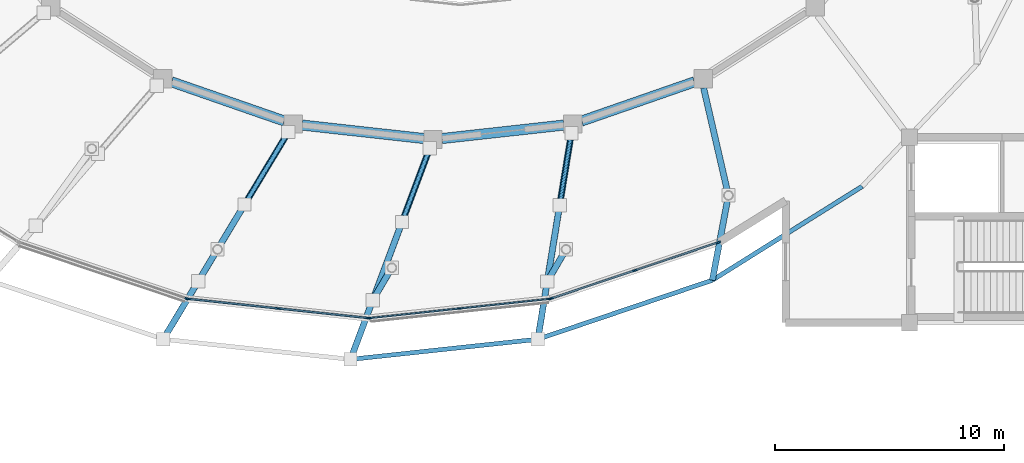
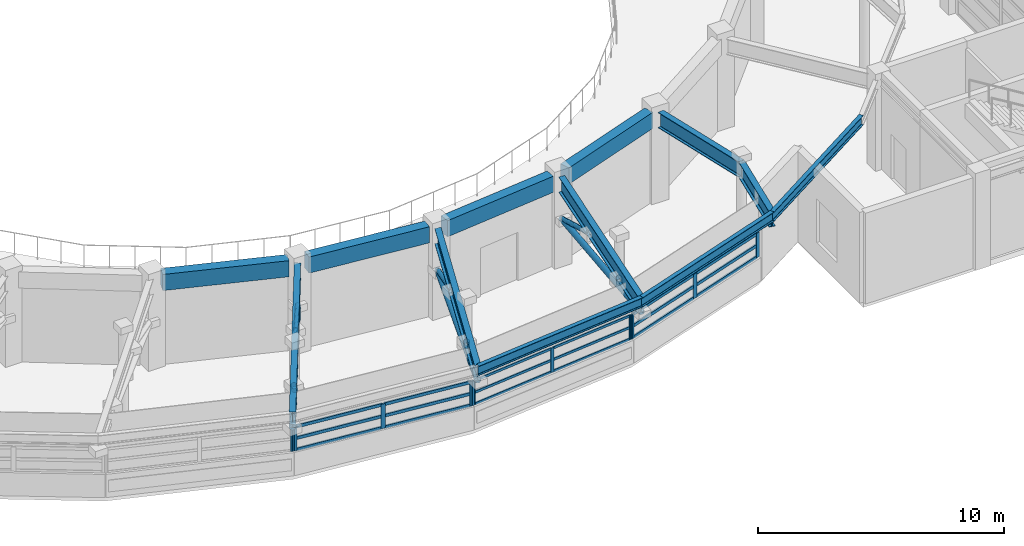
# One storey, part 13 of 58: 37 members, 12 beams, 4 elements without a shape of their own.
"""IFC4 building model written with IfcOpenShell, lengths in metres."""

from ifc_helpers import new_model, si_unit, direction, frame, origin, origin_2d, place, context, subcontext, project, spatial, rectangle, hollow_circle, i_section, extrude, material, material_profile, profile_set, type_object, element, aggregate, save


model = new_model("IFC4")

# Units and contexts
model_context = context("Model", 3, precision=1e-05, world=origin(), true_north=direction((0.0, 1.0)))
body_context = subcontext(model_context, "Body", "Model", "MODEL_VIEW")
ifc_project = project(units=[si_unit("LENGTHUNIT", "METRE"), si_unit("AREAUNIT", "SQUARE_METRE"), si_unit("VOLUMEUNIT", "CUBIC_METRE"), si_unit("PLANEANGLEUNIT", "RADIAN"), si_unit("MASSUNIT", "GRAM", prefix="KILO")], contexts=[model_context])

# Site, building, storey
site_placement = place(None, origin())
site = spatial("IfcSite", under=ifc_project, at=site_placement, CompositionType="ELEMENT")
building_placement = place(site_placement, origin())
building = spatial("IfcBuilding", under=site, at=building_placement, Name="Parian Resonance Hall", CompositionType="ELEMENT")
storey_placement = place(building_placement, frame((0.0, 0.0, 10.199951171875)))
storey = spatial("IfcBuildingStorey", under=building, at=storey_placement, Name="L02", CompositionType="ELEMENT", Elevation=10.199951171875)

# Beams
ifc_material_1 = material(Name="Concrete C40/50", Category="concrete")
ifc_material_profile_1 = material_profile(ifc_material_1, rectangle(XDim=0.449951171875, YDim=0.800048828125, at=origin_2d()), Name="RC-BM-450x800")
ifc_profile_set_1 = profile_set([ifc_material_profile_1], Name="Concrete C40/50")
beam_type_1 = type_object("IfcBeamType", Name="BM-RC450x800", PredefinedType="USERDEFINED", material=ifc_profile_set_1)
beam_1_placement = place(storey_placement, frame((32.577880859375, 26.721435546875, 4.130126953125), z_axis=(0.944593815742, -0.328241562362, 0.0), x_axis=(0.328241562362, 0.944593815742, 0.0)))
element("IfcBeam", 1, at=beam_1_placement, inside=storey, type_object=beam_type_1, Name="Concert hall drum ring beam L02-17", ObjectType="GIRDER", PredefinedType="USERDEFINED", context=body_context, shape_type="SweptSolid", body=[
    extrude(rectangle(XDim=0.449951171875, YDim=0.800048828125, at=origin_2d()), origin(), (0.0, 0.0, 1.0), 5.225830078125),
])
for number, where, z_axis, x_axis, name in (
    (2, (38.28955078125, 24.830810546875, 4.130126953125), (0.993953165009, -0.109804853117, 0.0), (0.109804853117, 0.993953165009, 0.0), "Concert hall drum ring beam L02-18"),
    (3, (44.397705078125, 24.243896484375, 4.130126953125), (0.993953165009, 0.109804853117, 0.0), (-0.109804853117, 0.993953165009, 0.0), "Concert hall drum ring beam L02-19"),
):
    element("IfcBeam", number, at=place(storey_placement, frame(where, z_axis=z_axis, x_axis=x_axis)), inside=storey, type_object=beam_type_1, Name=name, ObjectType="GIRDER", PredefinedType="USERDEFINED", context=body_context, shape_type="SweptSolid", body=[
        extrude(rectangle(XDim=0.449951171875, YDim=0.800048828125, at=origin_2d()), origin(), (0.0, 0.0, 1.0), 5.344970703125),
    ])
beam_2_placement = place(storey_placement, frame((50.48583984375, 25.006103515625, 4.130126953125), z_axis=(0.944593815742, 0.328241562362, 0.0), x_axis=(-0.328241562362, 0.944593815742, 0.0)))
element("IfcBeam", 4, at=beam_2_placement, inside=storey, type_object=beam_type_1, Name="Concert hall drum ring beam L02-20", ObjectType="GIRDER", PredefinedType="USERDEFINED", context=body_context, shape_type="SweptSolid", body=[
    extrude(rectangle(XDim=0.449951171875, YDim=0.800048828125, at=origin_2d()), origin(), (0.0, 0.0, 1.0), 5.225830078125),
])
ifc_material_2 = material(Name="Steel S355", Category="steel")
ifc_material_profile_2 = material_profile(ifc_material_2, i_section(OverallWidth=0.194091796875, OverallDepth=0.468994140625, WebThickness=0.0126953125, FlangeThickness=0.0205078125, FilletRadius=0.01513671875, at=origin_2d()), Name="W460x106")
ifc_profile_set_2 = profile_set([ifc_material_profile_2], Name="Steel S355")
beam_type_2 = type_object("IfcBeamType", Name="BM-W460x106", PredefinedType="SPANDREL", material=ifc_profile_set_2)
beam_3_placement = place(storey_placement, frame((40.39990234375, 14.60009765625, 4.265625), z_axis=(0.99427541963, 0.106847507781, 0.0), x_axis=(-0.106847507781, 0.99427541963, 0.0)))
element("IfcBeam", 5, at=beam_3_placement, inside=storey, type_object=beam_type_2, Name="Elliptical R3 perimeter spandrel beam 19", PredefinedType="SPANDREL", context=body_context, shape_type="SweptSolid", body=[
    extrude(i_section(OverallWidth=0.194091796875, OverallDepth=0.468994140625, WebThickness=0.0126953125, FlangeThickness=0.0205078125, FilletRadius=0.01513671875, at=origin_2d()), origin(), (0.0, 0.0, 1.0), 8.225830078125),
])
beam_4_placement = place(storey_placement, frame((48.57861328125, 15.47900390625, 4.265625), z_axis=(0.947296607548, 0.320357827013, 0.0), x_axis=(-0.320357827013, 0.947296607548, 0.0)))
element("IfcBeam", 6, at=beam_4_placement, inside=storey, type_object=beam_type_2, Name="Elliptical R3 perimeter spandrel beam 20", PredefinedType="SPANDREL", context=body_context, shape_type="SweptSolid", body=[
    extrude(i_section(OverallWidth=0.194091796875, OverallDepth=0.468994140625, WebThickness=0.0126953125, FlangeThickness=0.0205078125, FilletRadius=0.01513671875, at=origin_2d()), origin(), (0.0, 0.0, 1.0), 8.04541015625),
])
beam_5_placement = place(storey_placement, frame((56.199951171875, 18.056396484375, 4.265625), z_axis=(0.847434839889, 0.530899418103, 0.0), x_axis=(-0.530899418103, 0.847434839889, 0.0)))
element("IfcBeam", 7, at=beam_5_placement, inside=storey, type_object=beam_type_2, Name="Elliptical R3 perimeter spandrel beam 21", PredefinedType="SPANDREL", context=body_context, shape_type="SweptSolid", body=[
    extrude(i_section(OverallWidth=0.194091796875, OverallDepth=0.468994140625, WebThickness=0.0126953125, FlangeThickness=0.0205078125, FilletRadius=0.01513671875, at=origin_2d()), origin(), (0.0, 0.0, 1.0), 7.722900390625),
])
ifc_material_3 = material(Name="Steel S355", Category="steel")
ifc_material_profile_3 = material_profile(ifc_material_3, i_section(OverallWidth=0.26806640625, OverallDepth=0.77001953125, WebThickness=0.015625, FlangeThickness=0.025390625, FilletRadius=0.020263671875, at=origin_2d()), Name="W760x196")
ifc_profile_set_3 = profile_set([ifc_material_profile_3], Name="Steel S355")
beam_type_3 = type_object("IfcBeamType", Name="CG3 W760x196", PredefinedType="USERDEFINED", material=ifc_profile_set_3)
beam_6_placement = place(storey_placement, frame((37.685302734375, 24.5322265625, 4.114990234375), z_axis=(-0.516731498271, -0.856147509892, 0.0), x_axis=(0.856147509892, -0.516731498271, 0.0)))
element("IfcBeam", 8, at=beam_6_placement, inside=storey, type_object=beam_type_3, Name="Radial ring cantilever girder R3-18", ObjectType="GIRDER", PredefinedType="USERDEFINED", context=body_context, shape_type="SweptSolid", body=[
    extrude(i_section(OverallWidth=0.26806640625, OverallDepth=0.77001953125, WebThickness=0.015625, FlangeThickness=0.025390625, FilletRadius=0.020263671875, at=origin_2d()), origin(), (0.0, 0.0, 1.0), 10.574462890625),
])
beam_7_placement = place(storey_placement, frame((43.859619140625, 23.825439453125, 4.114990234375), z_axis=(-0.351142450023, -0.936322049186, 0.0), x_axis=(0.936322049186, -0.351142450023, 0.0)))
element("IfcBeam", 9, at=beam_7_placement, inside=storey, type_object=beam_type_3, Name="Radial ring cantilever girder R3-19", ObjectType="GIRDER", PredefinedType="USERDEFINED", context=body_context, shape_type="SweptSolid", body=[
    extrude(i_section(OverallWidth=0.26806640625, OverallDepth=0.77001953125, WebThickness=0.015625, FlangeThickness=0.025390625, FilletRadius=0.020263671875, at=origin_2d()), origin(), (0.0, 0.0, 1.0), 9.852783203125),
])
beam_8_placement = place(storey_placement, frame((50.043701171875, 24.47998046875, 4.114990234375), z_axis=(-0.16065558692, -0.987010528004, 0.0), x_axis=(0.987010528004, -0.16065558692, 0.0)))
element("IfcBeam", 10, at=beam_8_placement, inside=storey, type_object=beam_type_3, Name="Radial ring cantilever girder R3-20", ObjectType="GIRDER", PredefinedType="USERDEFINED", context=body_context, shape_type="SweptSolid", body=[
    extrude(i_section(OverallWidth=0.26806640625, OverallDepth=0.77001953125, WebThickness=0.015625, FlangeThickness=0.025390625, FilletRadius=0.020263671875, at=origin_2d()), origin(), (0.0, 0.0, 1.0), 9.119384765625),
])
beam_9_placement = place(storey_placement, frame((55.818115234375, 26.453125, 4.114990234375), z_axis=(0.224692846487, -0.974429640732, 0.0), x_axis=(0.974429640732, 0.224692846487, 0.0)))
element("IfcBeam", 11, at=beam_9_placement, inside=storey, type_object=beam_type_3, Name="Radial ring back-span girder R3-21", ObjectType="GIRDER", PredefinedType="USERDEFINED", context=body_context, shape_type="SweptSolid", body=[
    extrude(i_section(OverallWidth=0.26806640625, OverallDepth=0.77001953125, WebThickness=0.015625, FlangeThickness=0.025390625, FilletRadius=0.020263671875, at=origin_2d()), origin(), (0.0, 0.0, 1.0), 4.814453125),
])
beam_10_placement = place(storey_placement, frame((56.89990234375, 21.76171875, 4.114990234375), z_axis=(-0.185621361264, -0.982621346319, 0.0), x_axis=(0.982621346319, -0.185621361264, 0.0)))
element("IfcBeam", 12, at=beam_10_placement, inside=storey, type_object=beam_type_3, Name="Radial ring cantilever girder R3-21", ObjectType="GIRDER", PredefinedType="USERDEFINED", context=body_context, shape_type="SweptSolid", body=[
    extrude(i_section(OverallWidth=0.26806640625, OverallDepth=0.77001953125, WebThickness=0.015625, FlangeThickness=0.025390625, FilletRadius=0.020263671875, at=origin_2d()), origin(), (0.0, 0.0, 1.0), 3.770751953125),
])

# Curtain wall, member
ifc_material_4 = material(Name="Bronze-anodised aluminium frame", Category="aluminium")
curtain_wall_type_1 = type_object("IfcCurtainWallType", Name="CW-SYS-06", PredefinedType="NOTDEFINED", material=ifc_material_4)
curtain_wall_1_placement = place(storey_placement, origin())
curtain_wall_1 = element("IfcCurtainWall", 13, at=curtain_wall_1_placement, inside=storey, type_object=curtain_wall_type_1, Name="Elliptical R2 recessed strip curtain wall 17", PredefinedType="NOTDEFINED")
ifc_material_5 = material(Name="Bronze-anodised aluminium frame", Category="aluminium")
ifc_material_profile_4 = material_profile(ifc_material_5, rectangle(XDim=0.06494140625, YDim=0.159912109375, at=origin_2d()), Name="CWM-65x160")
ifc_profile_set_4 = profile_set([ifc_material_profile_4], Name="Bronze-anodised aluminium frame")
member_type_1 = type_object("IfcMemberType", Name="CWM-65x160", PredefinedType="MULLION", material=ifc_profile_set_4)
member_1_placement = place(storey_placement, frame((33.249267578125, 17.25537109375, 1.14208984375), z_axis=(0.0, 0.0, 1.0), x_axis=(-0.318257900904, -0.948004171147, 0.0)))
member_1 = element("IfcMember", 14, at=member_1_placement, type_object=member_type_1, Name="CW-06 mullion 1", PredefinedType="MULLION", context=body_context, shape_type="SweptSolid", body=[
    extrude(rectangle(XDim=0.06494140625, YDim=0.159912109375, at=origin_2d()), origin(), (0.0, 0.0, 1.0), 1.218017578125),
])
aggregate(curtain_wall_1, [member_1])

# Curtain wall, members
ifc_material_6 = material(Name="Bronze-anodised aluminium frame", Category="aluminium")
curtain_wall_type_2 = type_object("IfcCurtainWallType", Name="CW-SYS-02", PredefinedType="NOTDEFINED", material=ifc_material_6)
curtain_wall_2_placement = place(storey_placement, origin())
curtain_wall_2 = element("IfcCurtainWall", 15, at=curtain_wall_2_placement, inside=storey, type_object=curtain_wall_type_2, Name="Elliptical R2 recessed strip curtain wall 19", PredefinedType="NOTDEFINED")
member_2_placement = place(storey_placement, frame((49.087646484375, 17.241455078125, 1.14208984375), z_axis=(0.0, 0.0, 1.0), x_axis=(0.106091133346, -0.994356410662, 0.0)))
member_2 = element("IfcMember", 16, at=member_2_placement, type_object=member_type_1, Name="CW-02 mullion 1", PredefinedType="MULLION", context=body_context, shape_type="SweptSolid", body=[
    extrude(rectangle(XDim=0.06494140625, YDim=0.159912109375, at=origin_2d()), origin(), (0.0, 0.0, 1.0), 1.218017578125),
])
member_3_placement = place(storey_placement, frame((45.159912109375, 16.822509765625, 1.14208984375), z_axis=(0.0, 0.0, 1.0), x_axis=(0.106091133346, -0.994356410662, 0.0)))
member_3 = element("IfcMember", 17, at=member_3_placement, type_object=member_type_1, Name="CW-02 mullion 2", PredefinedType="MULLION", context=body_context, shape_type="SweptSolid", body=[
    extrude(rectangle(XDim=0.06494140625, YDim=0.159912109375, at=origin_2d()), origin(), (0.0, 0.0, 1.0), 1.218017578125),
])
member_4_placement = place(storey_placement, frame((41.232421875, 16.403564453125, 1.14208984375), z_axis=(0.0, 0.0, 1.0), x_axis=(0.106091133346, -0.994356410662, 0.0)))
member_4 = element("IfcMember", 18, at=member_4_placement, type_object=member_type_1, Name="CW-02 mullion 3", PredefinedType="MULLION", context=body_context, shape_type="SweptSolid", body=[
    extrude(rectangle(XDim=0.06494140625, YDim=0.159912109375, at=origin_2d()), origin(), (0.0, 0.0, 1.0), 1.218017578125),
])

ifc_material_7 = material(Name="Bronze-anodised aluminium frame", Category="aluminium")
curtain_wall_type_3 = type_object("IfcCurtainWallType", Name="CW-SYS-01", PredefinedType="NOTDEFINED", material=ifc_material_7)
curtain_wall_3_placement = place(storey_placement, origin())
curtain_wall_3 = element("IfcCurtainWall", 19, at=curtain_wall_3_placement, inside=storey, type_object=curtain_wall_type_3, Name="Elliptical R2 recessed strip curtain wall 18", PredefinedType="NOTDEFINED")
ifc_material_8 = material(Name="Bronze-anodised aluminium frame", Category="aluminium")
ifc_material_profile_5 = material_profile(ifc_material_8, rectangle(XDim=0.074951171875, YDim=0.199951171875, at=origin_2d()), Name="CWM-75x200")
ifc_profile_set_5 = profile_set([ifc_material_profile_5], Name="Bronze-anodised aluminium frame")
member_type_2 = type_object("IfcMemberType", Name="CWM-75x200", PredefinedType="MULLION", material=ifc_profile_set_5)
member_5_placement = place(storey_placement, frame((41.16259765625, 16.404052734375, 1.14208984375), z_axis=(0.0, 0.0, 1.0), x_axis=(-0.106091133346, -0.994356410662, 0.0)))
member_5 = element("IfcMember", 20, at=member_5_placement, type_object=member_type_2, Name="CW-01 mullion 1", PredefinedType="MULLION", context=body_context, shape_type="SweptSolid", body=[
    extrude(rectangle(XDim=0.074951171875, YDim=0.199951171875, at=origin_2d()), origin(), (0.0, 0.0, 1.0), 1.218017578125),
])
member_6_placement = place(storey_placement, frame((37.239990234375, 16.822509765625, 1.14208984375), z_axis=(0.0, 0.0, 1.0), x_axis=(-0.106091133346, -0.994356410662, 0.0)))
member_6 = element("IfcMember", 21, at=member_6_placement, type_object=member_type_2, Name="CW-01 mullion 2", PredefinedType="MULLION", context=body_context, shape_type="SweptSolid", body=[
    extrude(rectangle(XDim=0.074951171875, YDim=0.199951171875, at=origin_2d()), origin(), (0.0, 0.0, 1.0), 1.218017578125),
])
member_7_placement = place(storey_placement, frame((33.3173828125, 17.240966796875, 1.14208984375), z_axis=(0.0, 0.0, 1.0), x_axis=(-0.106091133346, -0.994356410662, 0.0)))
member_7 = element("IfcMember", 22, at=member_7_placement, type_object=member_type_2, Name="CW-01 mullion 3", PredefinedType="MULLION", context=body_context, shape_type="SweptSolid", body=[
    extrude(rectangle(XDim=0.074951171875, YDim=0.199951171875, at=origin_2d()), origin(), (0.0, 0.0, 1.0), 1.218017578125),
])

ifc_material_9 = material(Name="Bronze-anodised aluminium frame", Category="aluminium")
curtain_wall_type_4 = type_object("IfcCurtainWallType", Name="CW-SYS-03", PredefinedType="NOTDEFINED", material=ifc_material_9)
curtain_wall_4_placement = place(storey_placement, origin())
curtain_wall_4 = element("IfcCurtainWall", 23, at=curtain_wall_4_placement, inside=storey, type_object=curtain_wall_type_4, Name="Elliptical R2 recessed strip curtain wall 20", PredefinedType="NOTDEFINED")
member_8_placement = place(storey_placement, frame((56.46435546875, 19.710693359375, 1.14208984375), z_axis=(0.0, 0.0, 1.0), x_axis=(0.318257900904, -0.948004171147, 0.0)))
member_8 = element("IfcMember", 24, at=member_8_placement, type_object=member_type_2, Name="CW-03 mullion 1", PredefinedType="MULLION", context=body_context, shape_type="SweptSolid", body=[
    extrude(rectangle(XDim=0.074951171875, YDim=0.199951171875, at=origin_2d()), origin(), (0.0, 0.0, 1.0), 1.218017578125),
])
member_9_placement = place(storey_placement, frame((52.81005859375, 18.48388671875, 1.14208984375), z_axis=(0.0, 0.0, 1.0), x_axis=(0.318257900904, -0.948004171147, 0.0)))
member_9 = element("IfcMember", 25, at=member_9_placement, type_object=member_type_2, Name="CW-03 mullion 2", PredefinedType="MULLION", context=body_context, shape_type="SweptSolid", body=[
    extrude(rectangle(XDim=0.074951171875, YDim=0.199951171875, at=origin_2d()), origin(), (0.0, 0.0, 1.0), 1.218017578125),
])
member_10_placement = place(storey_placement, frame((49.155517578125, 17.2568359375, 1.14208984375), z_axis=(0.0, 0.0, 1.0), x_axis=(0.318257900904, -0.948004171147, 0.0)))
member_10 = element("IfcMember", 26, at=member_10_placement, type_object=member_type_2, Name="CW-03 mullion 3", PredefinedType="MULLION", context=body_context, shape_type="SweptSolid", body=[
    extrude(rectangle(XDim=0.074951171875, YDim=0.199951171875, at=origin_2d()), origin(), (0.0, 0.0, 1.0), 1.218017578125),
])

# Member
ifc_material_10 = material(Name="Bronze-anodised aluminium frame", Category="aluminium")
ifc_material_profile_6 = material_profile(ifc_material_10, rectangle(XDim=0.06494140625, YDim=0.1201171875, at=origin_2d()), Name="CWT-65x120")
ifc_profile_set_6 = profile_set([ifc_material_profile_6], Name="Bronze-anodised aluminium frame")
member_type_3 = type_object("IfcMemberType", Name="CWT-65x120", PredefinedType="USERDEFINED", material=ifc_profile_set_6)
member_11_placement = place(storey_placement, frame((49.05517578125, 17.238037109375, 1.174560546875), z_axis=(-0.994357079326, -0.106084866003, 0.0), x_axis=(0.106084866003, -0.994357079326, 0.0)))
member_11 = element("IfcMember", 27, at=member_11_placement, type_object=member_type_3, Name="CW-02 transom 1.1", ObjectType="TRANSOM", PredefinedType="USERDEFINED", context=body_context, shape_type="SweptSolid", body=[
    extrude(rectangle(XDim=0.06494140625, YDim=0.1201171875, at=origin_2d()), origin(), (0.0, 0.0, 1.0), 3.884765625),
])

member_12_placement = place(storey_placement, frame((49.05517578125, 17.238037109375, 1.75), z_axis=(-0.994357079326, -0.106084866003, 0.0), x_axis=(0.106084866003, -0.994357079326, 0.0)))
member_12 = element("IfcMember", 28, at=member_12_placement, type_object=member_type_3, Name="CW-02 transom 1.2", ObjectType="TRANSOM", PredefinedType="USERDEFINED", context=body_context, shape_type="SweptSolid", body=[
    extrude(rectangle(XDim=0.06494140625, YDim=0.1201171875, at=origin_2d()), origin(), (0.0, 0.0, 1.0), 3.884765625),
])

member_13_placement = place(storey_placement, frame((49.05517578125, 17.238037109375, 2.32763671875), z_axis=(-0.994357079326, -0.106084866003, 0.0), x_axis=(0.106084866003, -0.994357079326, 0.0)))
member_13 = element("IfcMember", 29, at=member_13_placement, type_object=member_type_3, Name="CW-02 transom 1.3", ObjectType="TRANSOM", PredefinedType="USERDEFINED", context=body_context, shape_type="SweptSolid", body=[
    extrude(rectangle(XDim=0.06494140625, YDim=0.1201171875, at=origin_2d()), origin(), (0.0, 0.0, 1.0), 3.884765625),
])

member_14_placement = place(storey_placement, frame((45.127685546875, 16.819091796875, 1.174560546875), z_axis=(-0.994357786534, -0.106078236976, 0.0), x_axis=(0.106078236976, -0.994357786534, 0.0)))
member_14 = element("IfcMember", 30, at=member_14_placement, type_object=member_type_3, Name="CW-02 transom 2.1", ObjectType="TRANSOM", PredefinedType="USERDEFINED", context=body_context, shape_type="SweptSolid", body=[
    extrude(rectangle(XDim=0.06494140625, YDim=0.1201171875, at=origin_2d()), origin(), (0.0, 0.0, 1.0), 3.885009765625),
])

member_15_placement = place(storey_placement, frame((45.127685546875, 16.819091796875, 1.75), z_axis=(-0.994357786534, -0.106078236976, 0.0), x_axis=(0.106078236976, -0.994357786534, 0.0)))
member_15 = element("IfcMember", 31, at=member_15_placement, type_object=member_type_3, Name="CW-02 transom 2.2", ObjectType="TRANSOM", PredefinedType="USERDEFINED", context=body_context, shape_type="SweptSolid", body=[
    extrude(rectangle(XDim=0.06494140625, YDim=0.1201171875, at=origin_2d()), origin(), (0.0, 0.0, 1.0), 3.885009765625),
])

member_16_placement = place(storey_placement, frame((45.127685546875, 16.819091796875, 2.32763671875), z_axis=(-0.994357786534, -0.106078236976, 0.0), x_axis=(0.106078236976, -0.994357786534, 0.0)))
member_16 = element("IfcMember", 32, at=member_16_placement, type_object=member_type_3, Name="CW-02 transom 2.3", ObjectType="TRANSOM", PredefinedType="USERDEFINED", context=body_context, shape_type="SweptSolid", body=[
    extrude(rectangle(XDim=0.06494140625, YDim=0.1201171875, at=origin_2d()), origin(), (0.0, 0.0, 1.0), 3.885009765625),
])

aggregate(curtain_wall_2, [member_2, member_3, member_4, member_11, member_12, member_13, member_14, member_15, member_16])

ifc_material_11 = material(Name="Bronze-anodised aluminium frame", Category="aluminium")
ifc_material_profile_7 = material_profile(ifc_material_11, rectangle(XDim=0.074951171875, YDim=0.14990234375, at=origin_2d()), Name="CWT-75x150")
ifc_profile_set_7 = profile_set([ifc_material_profile_7], Name="Bronze-anodised aluminium frame")
member_type_4 = type_object("IfcMemberType", Name="CWT-75x150", PredefinedType="USERDEFINED", material=ifc_profile_set_7)
member_17_placement = place(storey_placement, frame((41.12548828125, 16.407958984375, 1.179443359375), z_axis=(-0.994354409072, 0.106109891896, 0.0), x_axis=(-0.106109891896, -0.994354409072, 0.0)))
member_17 = element("IfcMember", 33, at=member_17_placement, type_object=member_type_4, Name="CW-01 transom 1.1", ObjectType="TRANSOM", PredefinedType="USERDEFINED", context=body_context, shape_type="SweptSolid", body=[
    extrude(rectangle(XDim=0.074951171875, YDim=0.14990234375, at=origin_2d()), origin(), (0.0, 0.0, 1.0), 3.869873046875),
])

member_18_placement = place(storey_placement, frame((41.12548828125, 16.407958984375, 1.75), z_axis=(-0.994354409072, 0.106109891896, 0.0), x_axis=(-0.106109891896, -0.994354409072, 0.0)))
member_18 = element("IfcMember", 34, at=member_18_placement, type_object=member_type_4, Name="CW-01 transom 1.2", ObjectType="TRANSOM", PredefinedType="USERDEFINED", context=body_context, shape_type="SweptSolid", body=[
    extrude(rectangle(XDim=0.074951171875, YDim=0.14990234375, at=origin_2d()), origin(), (0.0, 0.0, 1.0), 3.869873046875),
])

member_19_placement = place(storey_placement, frame((41.12548828125, 16.407958984375, 2.322509765625), z_axis=(-0.994354409072, 0.106109891896, 0.0), x_axis=(-0.106109891896, -0.994354409072, 0.0)))
member_19 = element("IfcMember", 35, at=member_19_placement, type_object=member_type_4, Name="CW-01 transom 1.3", ObjectType="TRANSOM", PredefinedType="USERDEFINED", context=body_context, shape_type="SweptSolid", body=[
    extrude(rectangle(XDim=0.074951171875, YDim=0.14990234375, at=origin_2d()), origin(), (0.0, 0.0, 1.0), 3.869873046875),
])

member_20_placement = place(storey_placement, frame((37.202880859375, 16.826416015625, 1.179443359375), z_axis=(-0.994354409072, 0.106109891896, 0.0), x_axis=(-0.106109891896, -0.994354409072, 0.0)))
member_20 = element("IfcMember", 36, at=member_20_placement, type_object=member_type_4, Name="CW-01 transom 2.1", ObjectType="TRANSOM", PredefinedType="USERDEFINED", context=body_context, shape_type="SweptSolid", body=[
    extrude(rectangle(XDim=0.074951171875, YDim=0.14990234375, at=origin_2d()), origin(), (0.0, 0.0, 1.0), 3.869873046875),
])

member_21_placement = place(storey_placement, frame((37.202880859375, 16.826416015625, 1.75), z_axis=(-0.994354409072, 0.106109891896, 0.0), x_axis=(-0.106109891896, -0.994354409072, 0.0)))
member_21 = element("IfcMember", 37, at=member_21_placement, type_object=member_type_4, Name="CW-01 transom 2.2", ObjectType="TRANSOM", PredefinedType="USERDEFINED", context=body_context, shape_type="SweptSolid", body=[
    extrude(rectangle(XDim=0.074951171875, YDim=0.14990234375, at=origin_2d()), origin(), (0.0, 0.0, 1.0), 3.869873046875),
])

member_22_placement = place(storey_placement, frame((37.202880859375, 16.826416015625, 2.322509765625), z_axis=(-0.994354409072, 0.106109891896, 0.0), x_axis=(-0.106109891896, -0.994354409072, 0.0)))
member_22 = element("IfcMember", 38, at=member_22_placement, type_object=member_type_4, Name="CW-01 transom 2.3", ObjectType="TRANSOM", PredefinedType="USERDEFINED", context=body_context, shape_type="SweptSolid", body=[
    extrude(rectangle(XDim=0.074951171875, YDim=0.14990234375, at=origin_2d()), origin(), (0.0, 0.0, 1.0), 3.869873046875),
])

aggregate(curtain_wall_3, [member_5, member_6, member_7, member_17, member_18, member_19, member_20, member_21, member_22])

member_23_placement = place(storey_placement, frame((56.428955078125, 19.69873046875, 1.179443359375), z_axis=(-0.948015947116, -0.318222821327, 0.0), x_axis=(0.318222821327, -0.948015947116, 0.0)))
member_23 = element("IfcMember", 39, at=member_23_placement, type_object=member_type_4, Name="CW-03 transom 1.1", ObjectType="TRANSOM", PredefinedType="USERDEFINED", context=body_context, shape_type="SweptSolid", body=[
    extrude(rectangle(XDim=0.074951171875, YDim=0.14990234375, at=origin_2d()), origin(), (0.0, 0.0, 1.0), 3.780029296875),
])

member_24_placement = place(storey_placement, frame((56.428955078125, 19.69873046875, 1.75), z_axis=(-0.948015947116, -0.318222821327, 0.0), x_axis=(0.318222821327, -0.948015947116, 0.0)))
member_24 = element("IfcMember", 40, at=member_24_placement, type_object=member_type_4, Name="CW-03 transom 1.2", ObjectType="TRANSOM", PredefinedType="USERDEFINED", context=body_context, shape_type="SweptSolid", body=[
    extrude(rectangle(XDim=0.074951171875, YDim=0.14990234375, at=origin_2d()), origin(), (0.0, 0.0, 1.0), 3.780029296875),
])

member_25_placement = place(storey_placement, frame((56.428955078125, 19.69873046875, 2.322509765625), z_axis=(-0.948015947116, -0.318222821327, 0.0), x_axis=(0.318222821327, -0.948015947116, 0.0)))
member_25 = element("IfcMember", 41, at=member_25_placement, type_object=member_type_4, Name="CW-03 transom 1.3", ObjectType="TRANSOM", PredefinedType="USERDEFINED", context=body_context, shape_type="SweptSolid", body=[
    extrude(rectangle(XDim=0.074951171875, YDim=0.14990234375, at=origin_2d()), origin(), (0.0, 0.0, 1.0), 3.780029296875),
])

member_26_placement = place(storey_placement, frame((52.7744140625, 18.471923828125, 1.179443359375), z_axis=(-0.94799646095, -0.318280866573, 0.0), x_axis=(0.318280866573, -0.94799646095, 0.0)))
member_26 = element("IfcMember", 42, at=member_26_placement, type_object=member_type_4, Name="CW-03 transom 2.1", ObjectType="TRANSOM", PredefinedType="USERDEFINED", context=body_context, shape_type="SweptSolid", body=[
    extrude(rectangle(XDim=0.074951171875, YDim=0.14990234375, at=origin_2d()), origin(), (0.0, 0.0, 1.0), 3.780029296875),
])

member_27_placement = place(storey_placement, frame((52.7744140625, 18.471923828125, 1.75), z_axis=(-0.94799646095, -0.318280866573, 0.0), x_axis=(0.318280866573, -0.94799646095, 0.0)))
member_27 = element("IfcMember", 43, at=member_27_placement, type_object=member_type_4, Name="CW-03 transom 2.2", ObjectType="TRANSOM", PredefinedType="USERDEFINED", context=body_context, shape_type="SweptSolid", body=[
    extrude(rectangle(XDim=0.074951171875, YDim=0.14990234375, at=origin_2d()), origin(), (0.0, 0.0, 1.0), 3.780029296875),
])

member_28_placement = place(storey_placement, frame((52.7744140625, 18.471923828125, 2.322509765625), z_axis=(-0.94799646095, -0.318280866573, 0.0), x_axis=(0.318280866573, -0.94799646095, 0.0)))
member_28 = element("IfcMember", 44, at=member_28_placement, type_object=member_type_4, Name="CW-03 transom 2.3", ObjectType="TRANSOM", PredefinedType="USERDEFINED", context=body_context, shape_type="SweptSolid", body=[
    extrude(rectangle(XDim=0.074951171875, YDim=0.14990234375, at=origin_2d()), origin(), (0.0, 0.0, 1.0), 3.780029296875),
])

aggregate(curtain_wall_4, [member_8, member_9, member_10, member_23, member_24, member_25, member_26, member_27, member_28])

# Members
ifc_material_12 = material(Name="Hollow structural steel S355", Category="steel")
ifc_material_profile_8 = material_profile(ifc_material_12, hollow_circle(Radius=0.109619140625, WallThickness=0.010009765625, at=origin_2d()), Name="CHS219.1x10")
ifc_profile_set_8 = profile_set([ifc_material_profile_8], Name="Hollow structural steel S355")
member_type_5 = type_object("IfcMemberType", Name="MEM-CHS219", PredefinedType="CHORD", material=ifc_profile_set_8)
member_29_placement = place(storey_placement, frame((37.685302734375, 24.5322265625, 2.400146484375), z_axis=(-0.485474639571, -0.804311379499, 0.342633301275), x_axis=(0.856133825203, -0.516754171095, 0.0)))
element("IfcMember", 45, at=member_29_placement, inside=storey, type_object=member_type_5, Name="Elliptical ring truss inner web R3-18", PredefinedType="CHORD", context=body_context, shape_type="SweptSolid", body=[
    extrude(hollow_circle(Radius=0.109619140625, WallThickness=0.010009765625, at=origin_2d()), origin(), (0.0, 0.0, 1.0), 3.939697265625),
])
member_30_placement = place(storey_placement, frame((43.859619140625, 23.825439453125, 2.400146484375), z_axis=(-0.327001489057, -0.871894091287, 0.364514361491), x_axis=(0.936314629059, -0.351162235171, 0.0)))
element("IfcMember", 46, at=member_30_placement, inside=storey, type_object=member_type_5, Name="Elliptical ring truss inner web R3-19", PredefinedType="CHORD", context=body_context, shape_type="SweptSolid", body=[
    extrude(hollow_circle(Radius=0.109619140625, WallThickness=0.010009765625, at=origin_2d()), origin(), (0.0, 0.0, 1.0), 3.703125),
])
member_31_placement = place(storey_placement, frame((50.0439453125, 24.47998046875, 2.400146484375), z_axis=(-0.148010144327, -0.909054213423, 0.389504087571), x_axis=(0.987003038158, -0.1607015951, 0.0)))
element("IfcMember", 47, at=member_31_placement, inside=storey, type_object=member_type_5, Name="Elliptical ring truss inner web R3-20", PredefinedType="CHORD", context=body_context, shape_type="SweptSolid", body=[
    extrude(hollow_circle(Radius=0.109619140625, WallThickness=0.010009765625, at=origin_2d()), origin(), (0.0, 0.0, 1.0), 3.465576171875),
])
ifc_material_13 = material(Name="Hollow structural steel S355", Category="steel")
ifc_material_profile_9 = material_profile(ifc_material_13, hollow_circle(Radius=0.136474609375, WallThickness=0.012451171875, at=origin_2d()), Name="CHS273x12.5")
ifc_profile_set_9 = profile_set([ifc_material_profile_9], Name="Hollow structural steel S355")
member_type_6 = type_object("IfcMemberType", Name="MEM-CHS273", PredefinedType="CHORD", material=ifc_profile_set_9)
member_32_placement = place(storey_placement, frame((37.685302734375, 24.5322265625, 2.400146484375), z_axis=(-0.512572099953, -0.849256003326, 0.126625760272), x_axis=(0.856147509892, -0.516731498271, 0.0)))
element("IfcMember", 48, at=member_32_placement, inside=storey, type_object=member_type_6, Name="Elliptical ring truss lower chord R3-18", PredefinedType="CHORD", context=body_context, shape_type="SweptSolid", body=[
    extrude(hollow_circle(Radius=0.136474609375, WallThickness=0.012451171875, at=origin_2d()), origin(), (0.0, 0.0, 1.0), 10.66015625),
])
member_33_placement = place(storey_placement, frame((43.859619140625, 23.825439453125, 2.400146484375), z_axis=(-0.347892696194, -0.927656574065, 0.135734861143), x_axis=(0.936322049186, -0.351142450023, 0.0)))
element("IfcMember", 49, at=member_33_placement, inside=storey, type_object=member_type_6, Name="Elliptical ring truss lower chord R3-19", PredefinedType="CHORD", context=body_context, shape_type="SweptSolid", body=[
    extrude(hollow_circle(Radius=0.136474609375, WallThickness=0.012451171875, at=origin_2d()), origin(), (0.0, 0.0, 1.0), 9.94482421875),
])
member_34_placement = place(storey_placement, frame((50.0439453125, 24.47998046875, 2.400146484375), z_axis=(-0.158949840406, -0.976368329902, 0.14642347011), x_axis=(0.98700628256, -0.160681667243, 0.0)))
element("IfcMember", 50, at=member_34_placement, inside=storey, type_object=member_type_6, Name="Elliptical ring truss lower chord R3-20", PredefinedType="CHORD", context=body_context, shape_type="SweptSolid", body=[
    extrude(hollow_circle(Radius=0.136474609375, WallThickness=0.012451171875, at=origin_2d()), origin(), (0.0, 0.0, 1.0), 9.21875),
])
ifc_material_14 = material(Name="Hollow structural steel S355", Category="steel")
ifc_material_profile_10 = material_profile(ifc_material_14, hollow_circle(Radius=0.136474609375, WallThickness=0.012451171875, at=origin_2d()), Name="CHS273x12.5")
ifc_profile_set_10 = profile_set([ifc_material_profile_10], Name="Hollow structural steel S355")
member_type_7 = type_object("IfcMemberType", Name="MEM-STRUT273", PredefinedType="BRACE", material=ifc_profile_set_10)
member_35_placement = place(storey_placement, frame((34.5908203125, 19.404296875, 2.400146484375), z_axis=(-0.397553427148, -0.658350324981, 0.639160482321), x_axis=(0.856030561324, -0.51692521517, 0.0)))
element("IfcMember", 51, at=member_35_placement, inside=storey, type_object=member_type_7, Name="Elliptical ring raking strut R3-18", PredefinedType="BRACE", context=body_context, shape_type="SweptSolid", body=[
    extrude(hollow_circle(Radius=0.136474609375, WallThickness=0.012451171875, at=origin_2d()), origin(), (0.0, 0.0, 1.0), 2.11181640625),
])
member_36_placement = place(storey_placement, frame((42.199951171875, 18.60009765625, 2.400146484375), z_axis=(-0.390965572704, -0.666421199405, 0.634845418937), x_axis=(0.86252577057, -0.506013137283, 0.0)))
element("IfcMember", 52, at=member_36_placement, inside=storey, type_object=member_type_7, Name="Elliptical ring raking strut R3-19", PredefinedType="BRACE", context=body_context, shape_type="SweptSolid", body=[
    extrude(hollow_circle(Radius=0.136474609375, WallThickness=0.012451171875, at=origin_2d()), origin(), (0.0, 0.0, 1.0), 2.126220703125),
])
member_37_placement = place(storey_placement, frame((49.809326171875, 19.404296875, 2.400146484375), z_axis=(-0.388032503595, -0.66462114827, 0.638521342969), x_axis=(0.863588350031, -0.504197542329, 0.0)))
element("IfcMember", 53, at=member_37_placement, inside=storey, type_object=member_type_7, Name="Elliptical ring raking strut R3-20", PredefinedType="BRACE", context=body_context, shape_type="SweptSolid", body=[
    extrude(hollow_circle(Radius=0.136474609375, WallThickness=0.012451171875, at=origin_2d()), origin(), (0.0, 0.0, 1.0), 2.114013671875),
])

save(model, "model.ifc")
